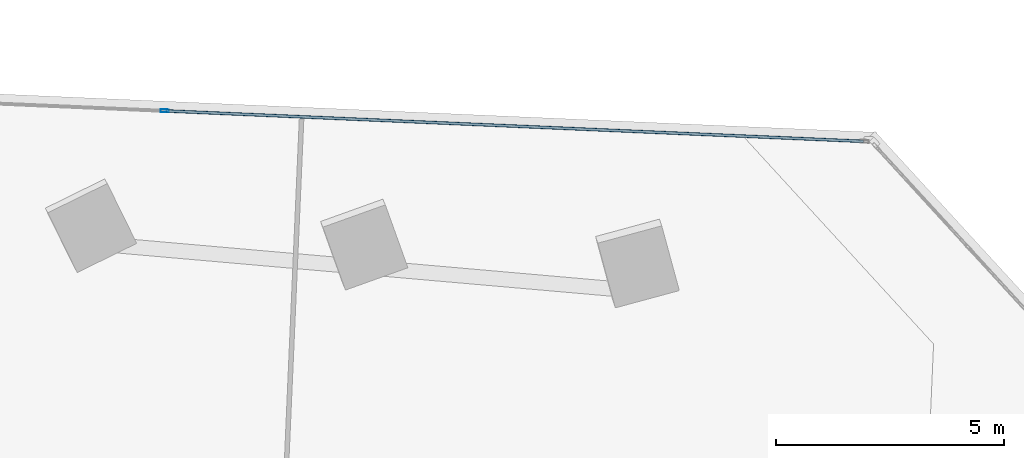
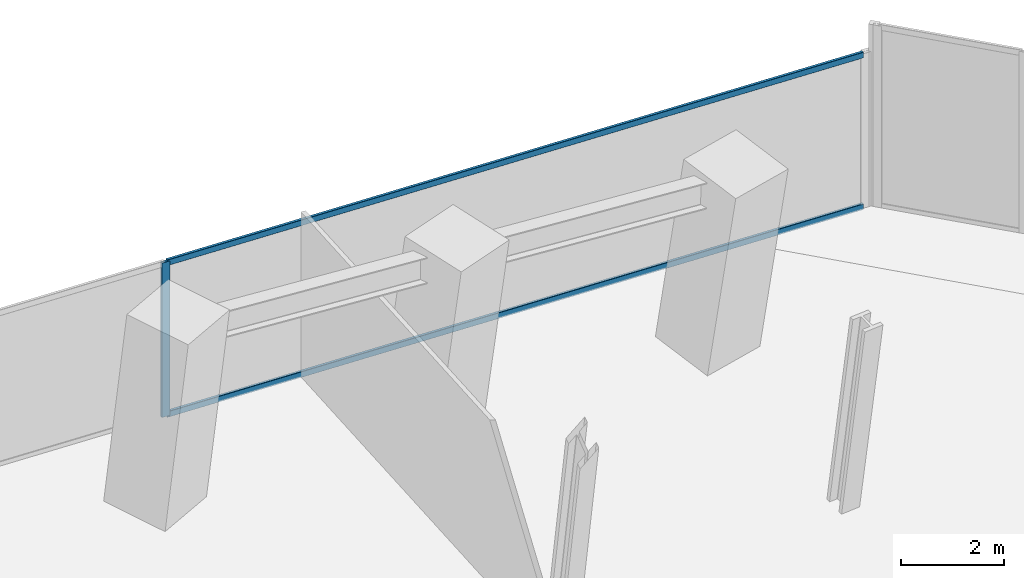
# One storey, part 19 of 26: 3 members, 1 element without a shape of its own.
"""IFC4 building model written with IfcOpenShell, lengths in metres."""

from ifc_helpers import new_model, si_unit, direction, frame, origin, origin_2d, place, context, subcontext, project, spatial, hollow_rectangle, extrude, source, transform, mapped, material, material_profile, profile_set, type_object, element, aggregate, save


model = new_model("IFC4")

# Units and contexts
model_context = context("Model", 3, precision=1e-05, world=origin(), true_north=direction((0.0, 1.0)))
body_context = subcontext(model_context, "Body", "Model", "MODEL_VIEW")
ifc_project = project(units=[si_unit("LENGTHUNIT", "METRE"), si_unit("AREAUNIT", "SQUARE_METRE"), si_unit("VOLUMEUNIT", "CUBIC_METRE"), si_unit("PLANEANGLEUNIT", "RADIAN"), si_unit("MASSUNIT", "GRAM", prefix="KILO")], contexts=[model_context])

# Site, building, storey
site_placement = place(None, origin())
site = spatial("IfcSite", under=ifc_project, at=site_placement, CompositionType="ELEMENT")
building_placement = place(site_placement, origin())
building = spatial("IfcBuilding", under=site, at=building_placement, Name="Torre Montelarca", CompositionType="ELEMENT")
storey_placement = place(building_placement, frame((0.0, 0.0, 42.39990234375)))
storey = spatial("IfcBuildingStorey", under=building, at=storey_placement, Name="L09", CompositionType="ELEMENT", Elevation=42.39990234375)

# Curtain wall, members
ifc_material_1 = material(Name="Insulated low-E laminated glass", Category="glass")
curtain_wall_type = type_object("IfcCurtainWallType", Name="CW-SYS-Z1", PredefinedType="USERDEFINED", material=ifc_material_1)
curtain_wall_placement = place(storey_placement, origin())
curtain_wall = element("IfcCurtainWall", 1, at=curtain_wall_placement, inside=storey, type_object=curtain_wall_type, Name="L09 Curtain Wall Run CW-T3-L09-E08-B1", ObjectType="UNITISED GLAZING", PredefinedType="USERDEFINED")
ifc_material_2 = material(Name="Anodised aluminium AA 6063-T6", Category="aluminium")
ifc_material_profile_1 = material_profile(ifc_material_2, hollow_rectangle(XDim=0.06494140625, YDim=0.179931640625, WallThickness=0.00390625, InnerFilletRadius=0.00390625, OuterFilletRadius=0.008056640625, at=origin_2d()), Name="ALU65X180X4", Category="aluminium")
ifc_profile_set_1 = profile_set([ifc_material_profile_1], Name="Anodised aluminium AA 6063-T6")
member_type_1 = type_object("IfcMemberType", Name="CWM-ALU180", PredefinedType="MULLION", material=ifc_profile_set_1)
shared_shape_1 = source(origin(), body_context, "Body", "SweptSolid", [
    extrude(hollow_rectangle(XDim=0.06494140625, YDim=0.179931640625, WallThickness=0.00390625, InnerFilletRadius=0.00390625, OuterFilletRadius=0.008056640625, at=origin_2d()), origin(), (0.0, 0.0, 1.0), 3.675048828125),
])
member_1_placement = place(storey_placement, frame((44.5263671875, 47.080078125, 0.0), z_axis=(0.0, 0.0, 1.0), x_axis=(-0.043619974825, -0.999048195933, 0.0)))
member_1 = element("IfcMember", 2, at=member_1_placement, type_object=member_type_1, Name="CW mullion 2", PredefinedType="MULLION", context=body_context, shape_type="MappedRepresentation", body=[
    mapped(shared_shape_1, transform((0.0, 0.0, 0.0), scale=1.0)),
])
ifc_material_profile_2 = material_profile(ifc_material_2, hollow_rectangle(XDim=0.06494140625, YDim=0.139892578125, WallThickness=0.00390625, InnerFilletRadius=0.00390625, OuterFilletRadius=0.008056640625, at=origin_2d()), Name="ALU65X140X4", Category="aluminium")
ifc_profile_set_2 = profile_set([ifc_material_profile_2], Name="Anodised aluminium AA 6063-T6")
member_type_2 = type_object("IfcMemberType", Name="CWT-ALU140", PredefinedType="USERDEFINED", material=ifc_profile_set_2)
shared_shape_2 = source(origin(), body_context, "Body", "SweptSolid", [
    extrude(hollow_rectangle(XDim=0.06494140625, YDim=0.139892578125, WallThickness=0.00390625, InnerFilletRadius=0.00390625, OuterFilletRadius=0.008056640625, at=origin_2d()), origin(), (0.0, 0.0, 1.0), 15.2900390625),
])
member_2_placement = place(storey_placement, frame((59.834228515625, 46.41162109375, 0.03271484375), z_axis=(-0.999048067016, 0.04362292736, 0.0), x_axis=(-0.04362292736, -0.999048067016, 0.0)))
member_2 = element("IfcMember", 3, at=member_2_placement, type_object=member_type_2, Name="CW transom 1.1", ObjectType="TRANSOM", PredefinedType="USERDEFINED", context=body_context, shape_type="MappedRepresentation", body=[
    mapped(shared_shape_2, transform((0.0, 0.0, 0.0), scale=1.0)),
])
member_3_placement = place(storey_placement, frame((59.834228515625, 46.41162109375, 3.642578125), z_axis=(-0.999048067016, 0.04362292736, 0.0), x_axis=(-0.04362292736, -0.999048067016, 0.0)))
member_3 = element("IfcMember", 4, at=member_3_placement, type_object=member_type_2, Name="CW transom 1.2", ObjectType="TRANSOM", PredefinedType="USERDEFINED", context=body_context, shape_type="MappedRepresentation", body=[
    mapped(shared_shape_2, transform((0.0, 0.0, 0.0), scale=1.0)),
])
aggregate(curtain_wall, [member_1, member_2, member_3])

save(model, "model.ifc")
